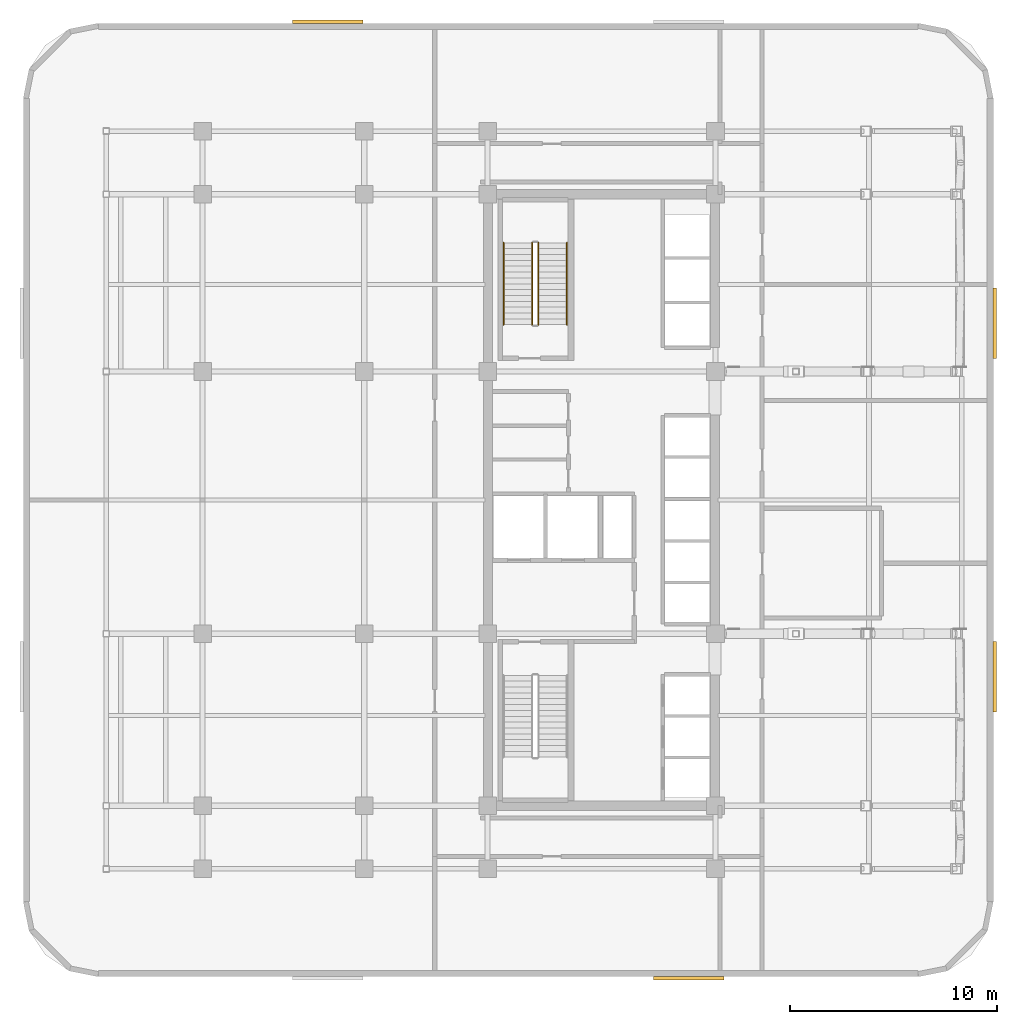
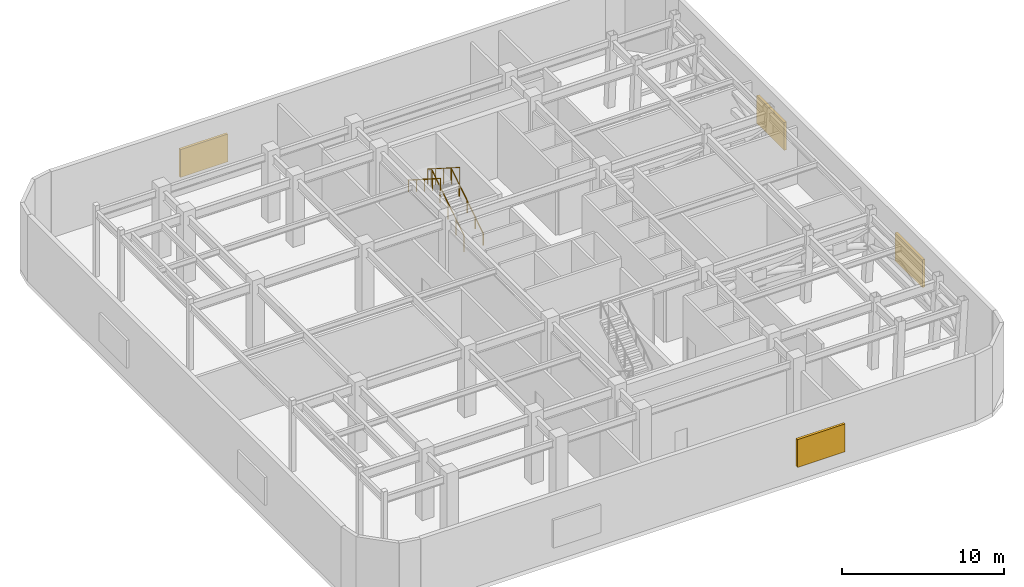
# One storey, part 13 of 14: 4 railings, 4 shading devices.
"""IFC4 building model written with IfcOpenShell, lengths in metres."""

from ifc_helpers import new_model, si_unit, direction, frame, origin, origin_2d, place, context, subcontext, project, spatial, rectangle, circle, extrude, material, layer, layer_set, type_object, element, save


model = new_model("IFC4")

# Units and contexts
model_context = context("Model", 3, precision=1e-05, world=origin(), true_north=direction((0.0, 1.0)))
body_context = subcontext(model_context, "Body", "Model", "MODEL_VIEW")
ifc_project = project(units=[si_unit("LENGTHUNIT", "METRE"), si_unit("AREAUNIT", "SQUARE_METRE"), si_unit("VOLUMEUNIT", "CUBIC_METRE"), si_unit("PLANEANGLEUNIT", "RADIAN"), si_unit("MASSUNIT", "GRAM", prefix="KILO")], contexts=[model_context])

# Site, building, storey
site_placement = place(None, origin())
site = spatial("IfcSite", under=ifc_project, at=site_placement, CompositionType="ELEMENT")
building_placement = place(site_placement, origin())
building = spatial("IfcBuilding", under=site, at=building_placement, Name="Ochreholt Gables", CompositionType="ELEMENT")
storey_placement = place(building_placement, frame((0.0, 0.0, 71.39990234375)))
storey = spatial("IfcBuildingStorey", under=building, at=storey_placement, Name="L18", CompositionType="ELEMENT", Elevation=71.39990234375)

# Railings
ifc_material_1 = material(Name="Painted Steel Stair Guardrail", Category="steel")
railing_type_1 = type_object("IfcRailingType", Name="RL-ST-GUARD", PredefinedType="GUARDRAIL", material=ifc_material_1)
railing_1_placement = place(storey_placement, frame((26.64990234375, 32.4599609375, 0.18017578125)))
element("IfcRailing", 1, at=railing_1_placement, inside=storey, type_object=railing_type_1, Name="L18 ST-2 stair guard 1", PredefinedType="GUARDRAIL", context=body_context, shape_type="SweptSolid", body=[
    extrude(circle(Radius=0.02392578125, at=origin_2d()), frame((0.0, 0.0, 1.22607421875), z_axis=(0.0, 0.842920197654, 0.538038604922), x_axis=(-1.0, 0.0, 0.0)), (0.0, 0.0, 1.0), 4.68359375),
    extrude(circle(Radius=0.02099609375, at=origin_2d()), origin(), (0.0, 0.0, 1.0), 1.201904296875),
    extrude(circle(Radius=0.02099609375, at=origin_2d()), frame((0.0, 0.987060546875, 0.6298828125)), (0.0, 0.0, 1.0), 1.201904296875),
    extrude(circle(Radius=0.02099609375, at=origin_2d()), frame((0.0, 1.97412109375, 1.260009765625)), (0.0, 0.0, 1.0), 1.201904296875),
    extrude(circle(Radius=0.02099609375, at=origin_2d()), frame((0.0, 2.9609375, 1.89013671875)), (0.0, 0.0, 1.0), 1.201904296875),
    extrude(circle(Radius=0.02099609375, at=origin_2d()), frame((0.0, 3.947998046875, 2.52001953125)), (0.0, 0.0, 1.0), 1.201904296875),
])
railing_2_placement = place(storey_placement, frame((26.35009765625, 36.407958984375, 2.880126953125)))
element("IfcRailing", 2, at=railing_2_placement, inside=storey, type_object=railing_type_1, Name="L18 ST-2 stair guard 3", PredefinedType="GUARDRAIL", context=body_context, shape_type="SweptSolid", body=[
    extrude(circle(Radius=0.02392578125, at=origin_2d()), frame((0.0, 0.0, 1.22607421875), z_axis=(0.0, -0.842920197654, 0.538038604922), x_axis=(1.0, 0.0, 0.0)), (0.0, 0.0, 1.0), 4.68359375),
    extrude(circle(Radius=0.02099609375, at=origin_2d()), origin(), (0.0, 0.0, 1.0), 1.201904296875),
    extrude(circle(Radius=0.02099609375, at=origin_2d()), frame((0.0, -0.987060546875, 0.6298828125)), (0.0, 0.0, 1.0), 1.201904296875),
    extrude(circle(Radius=0.02099609375, at=origin_2d()), frame((0.0, -1.97412109375, 1.260009765625)), (0.0, 0.0, 1.0), 1.201904296875),
    extrude(circle(Radius=0.02099609375, at=origin_2d()), frame((0.0, -2.9609375, 1.89013671875)), (0.0, 0.0, 1.0), 1.201904296875),
    extrude(circle(Radius=0.02099609375, at=origin_2d()), frame((0.0, -3.947998046875, 2.52001953125)), (0.0, 0.0, 1.0), 1.201904296875),
])
ifc_material_2 = material(Name="Brushed Stainless Steel Wall Handrail", Category="steel")
railing_type_2 = type_object("IfcRailingType", Name="RL-ST-HAND", PredefinedType="HANDRAIL", material=ifc_material_2)
railing_3_placement = place(storey_placement, frame((28.030029296875, 32.4599609375, 0.18017578125)))
element("IfcRailing", 3, at=railing_3_placement, inside=storey, type_object=railing_type_2, Name="L18 ST-2 stair handrail 1", PredefinedType="HANDRAIL", context=body_context, shape_type="SweptSolid", body=[
    extrude(circle(Radius=0.02392578125, at=origin_2d()), frame((0.0, 0.0, 0.8759765625), z_axis=(0.0, 0.842920197654, 0.538038604922), x_axis=(-1.0, 0.0, 0.0)), (0.0, 0.0, 1.0), 4.68359375),
    extrude(circle(Radius=0.02099609375, at=origin_2d()), origin(), (0.0, 0.0, 1.0), 0.851806640625),
    extrude(circle(Radius=0.02099609375, at=origin_2d()), frame((0.0, 0.987060546875, 0.6298828125)), (0.0, 0.0, 1.0), 0.851806640625),
    extrude(circle(Radius=0.02099609375, at=origin_2d()), frame((0.0, 1.97412109375, 1.260009765625)), (0.0, 0.0, 1.0), 0.851806640625),
    extrude(circle(Radius=0.02099609375, at=origin_2d()), frame((0.0, 2.9609375, 1.89013671875)), (0.0, 0.0, 1.0), 0.851806640625),
    extrude(circle(Radius=0.02099609375, at=origin_2d()), frame((0.0, 3.947998046875, 2.52001953125)), (0.0, 0.0, 1.0), 0.851806640625),
])
railing_4_placement = place(storey_placement, frame((24.969970703125, 36.407958984375, 2.880126953125)))
element("IfcRailing", 4, at=railing_4_placement, inside=storey, type_object=railing_type_2, Name="L18 ST-2 stair handrail 2", PredefinedType="HANDRAIL", context=body_context, shape_type="SweptSolid", body=[
    extrude(circle(Radius=0.02392578125, at=origin_2d()), frame((0.0, 0.0, 0.8759765625), z_axis=(0.0, -0.842920197654, 0.538038604922), x_axis=(1.0, 0.0, 0.0)), (0.0, 0.0, 1.0), 4.68359375),
    extrude(circle(Radius=0.02099609375, at=origin_2d()), origin(), (0.0, 0.0, 1.0), 0.851806640625),
    extrude(circle(Radius=0.02099609375, at=origin_2d()), frame((0.0, -0.987060546875, 0.6298828125)), (0.0, 0.0, 1.0), 0.851806640625),
    extrude(circle(Radius=0.02099609375, at=origin_2d()), frame((0.0, -1.97412109375, 1.260009765625)), (0.0, 0.0, 1.0), 0.851806640625),
    extrude(circle(Radius=0.02099609375, at=origin_2d()), frame((0.0, -2.9609375, 1.89013671875)), (0.0, 0.0, 1.0), 0.851806640625),
    extrude(circle(Radius=0.02099609375, at=origin_2d()), frame((0.0, -3.947998046875, 2.52001953125)), (0.0, 0.0, 1.0), 0.851806640625),
])

# Shading devices
ifc_material_3 = material(Name="Anodized Aluminium Acoustic Weather Louvre", Category="aluminium")
ifc_layer = layer(ifc_material_3, 0.179931640625, Name="Anodized Aluminium Acoustic Weather Louvre")
ifc_layer_set = layer_set([ifc_layer], Name="Anodized Aluminium Acoustic Weather Louvre")
shading_device_type = type_object("IfcShadingDeviceType", Name="SHD-LOUVRE", PredefinedType="JALOUSIE", material=ifc_layer_set)
for number, where, z_axis, x_axis, name in (
    (5, (33.912109375, 0.929931640625, 1.10009765625), (0.0, 0.0, 1.0), (1.0, 0.0, 0.0), "L18 Acoustic Plant Louvre South-2"),
    (6, (48.669921875, 15.464111328125, 1.10009765625), (0.0, 0.0, 1.0), (0.0, 1.0, 0.0), "L18 Acoustic Plant Louvre East-1"),
    (7, (48.669921875, 32.535888671875, 1.10009765625), (0.0, 0.0, 1.0), (0.0, 1.0, 0.0), "L18 Acoustic Plant Louvre East-2"),
    (8, (16.488037109375, 47.070068359375, 1.10009765625), (0.0, 0.0, 1.0), (-1.0, 0.0, 0.0), "L18 Acoustic Plant Louvre North-2"),
):
    element("IfcShadingDevice", number, at=place(storey_placement, frame(where, z_axis=z_axis, x_axis=x_axis)), inside=storey, type_object=shading_device_type, Name=name, PredefinedType="JALOUSIE", context=body_context, shape_type="SweptSolid", body=[
        extrude(rectangle(XDim=3.39990234375, YDim=0.179931640625, at=origin_2d()), origin(), (0.0, 0.0, 1.0), 2.10009765625),
    ])

save(model, "model.ifc")
